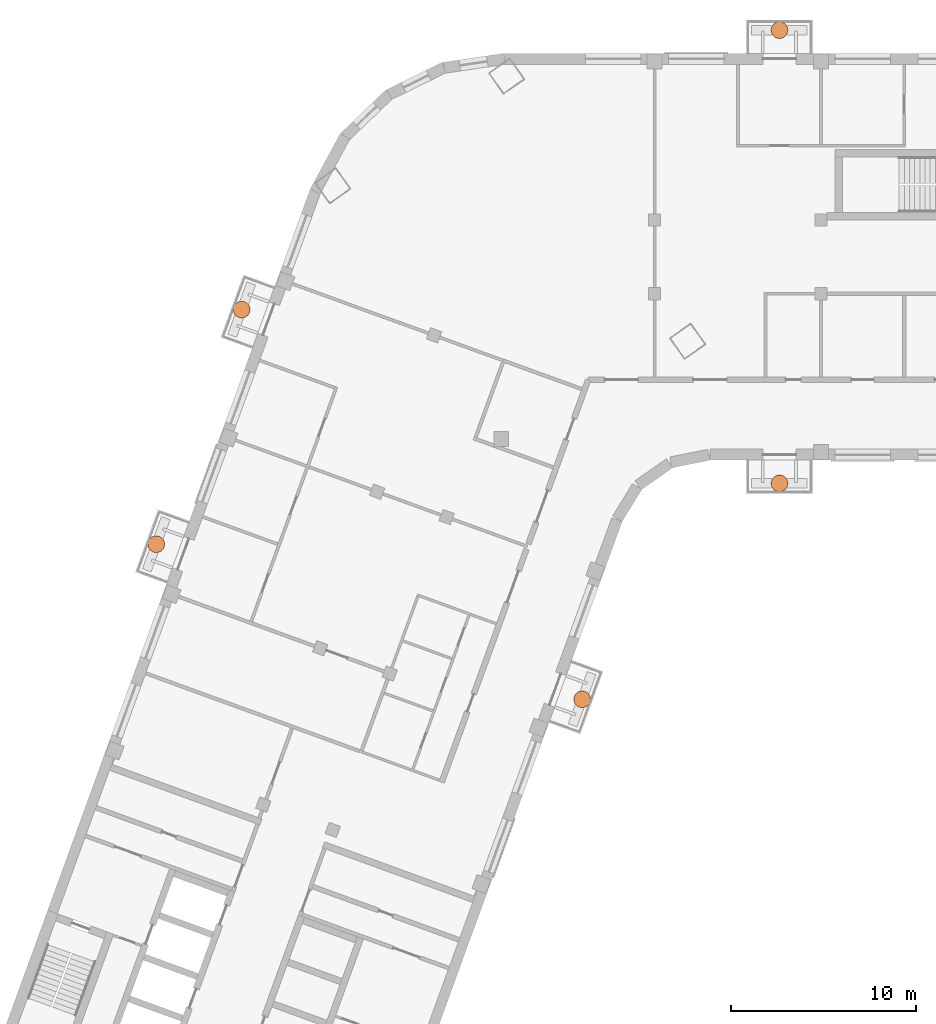
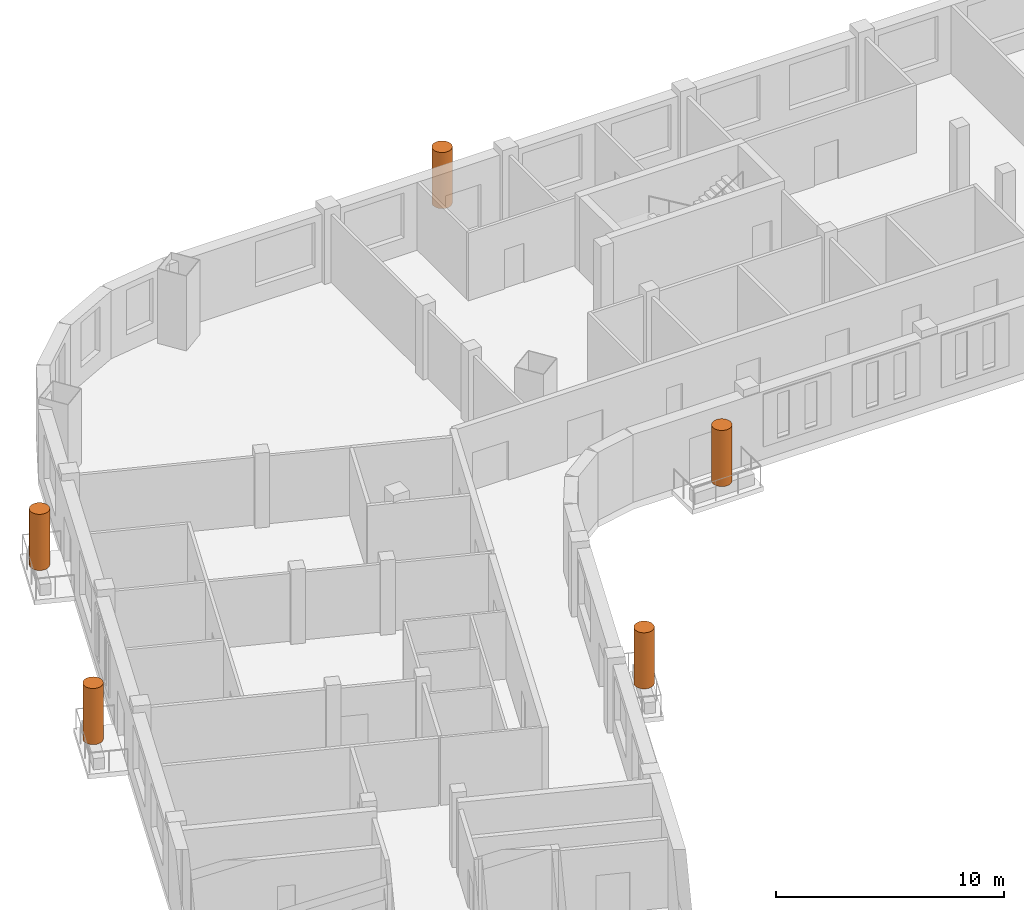
# One storey, part 10 of 10: 5 geographic elements.
"""IFC4 building model written with IfcOpenShell, lengths in metres."""

from ifc_helpers import new_model, si_unit, direction, frame, origin, origin_2d, place, context, subcontext, project, spatial, circle, extrude, element, save


model = new_model("IFC4")

# Units and contexts
model_context = context("Model", 3, precision=1e-05, world=origin(), true_north=direction((0.0, 1.0)))
body_context = subcontext(model_context, "Body", "Model", "MODEL_VIEW")
ifc_project = project(units=[si_unit("LENGTHUNIT", "METRE"), si_unit("AREAUNIT", "SQUARE_METRE"), si_unit("VOLUMEUNIT", "CUBIC_METRE"), si_unit("PLANEANGLEUNIT", "RADIAN"), si_unit("MASSUNIT", "GRAM", prefix="KILO")], contexts=[model_context])

# Site, building, storey
site_placement = place(None, origin())
site = spatial("IfcSite", under=ifc_project, at=site_placement, CompositionType="ELEMENT")
building_placement = place(site_placement, origin())
building = spatial("IfcBuilding", under=site, at=building_placement, Name="Skarvind Civic Tower", CompositionType="ELEMENT")
storey_placement = place(building_placement, frame((0.0, 0.0, 178.5)))
storey = spatial("IfcBuildingStorey", under=building, at=storey_placement, Name="L42", CompositionType="ELEMENT", Elevation=178.5)

# Geographic elements
for number, where, z_axis, x_axis, name in (
    (1, (50.328857421875, 104.07666015625, 0.60009765625), (0.0, 0.0, 1.0), (1.0, 0.0, 0.0), "TREE BALCONY TREE"),
    (2, (61.0, 115.75, 0.60009765625), (0.0, 0.0, 1.0), (1.0, 0.0, 0.0), "TREE BALCONY TREE"),
    (3, (61.0, 140.25, 0.60009765625), (0.0, 0.0, 1.0), (1.0, 0.0, 0.0), "TREE BALCONY TREE"),
    (4, (27.306396484375, 112.456298828125, 0.60009765625), (0.0, 0.0, 1.0), (1.0, 0.0, 0.0), "TREE BALCONY TREE"),
    (5, (31.923583984375, 125.14208984375, 0.60009765625), (0.0, 0.0, 1.0), (1.0, 0.0, 0.0), "TREE BALCONY TREE"),
):
    element("IfcGeographicElement", number, at=place(storey_placement, frame(where, z_axis=z_axis, x_axis=x_axis)), inside=storey, Name=name, ObjectType="TREE", PredefinedType="USERDEFINED", context=body_context, shape_type="SweptSolid", body=[
        extrude(circle(Radius=0.449951171875, at=origin_2d()), origin(), (0.0, 0.0, 1.0), 3.0),
    ])

save(model, "model.ifc")
